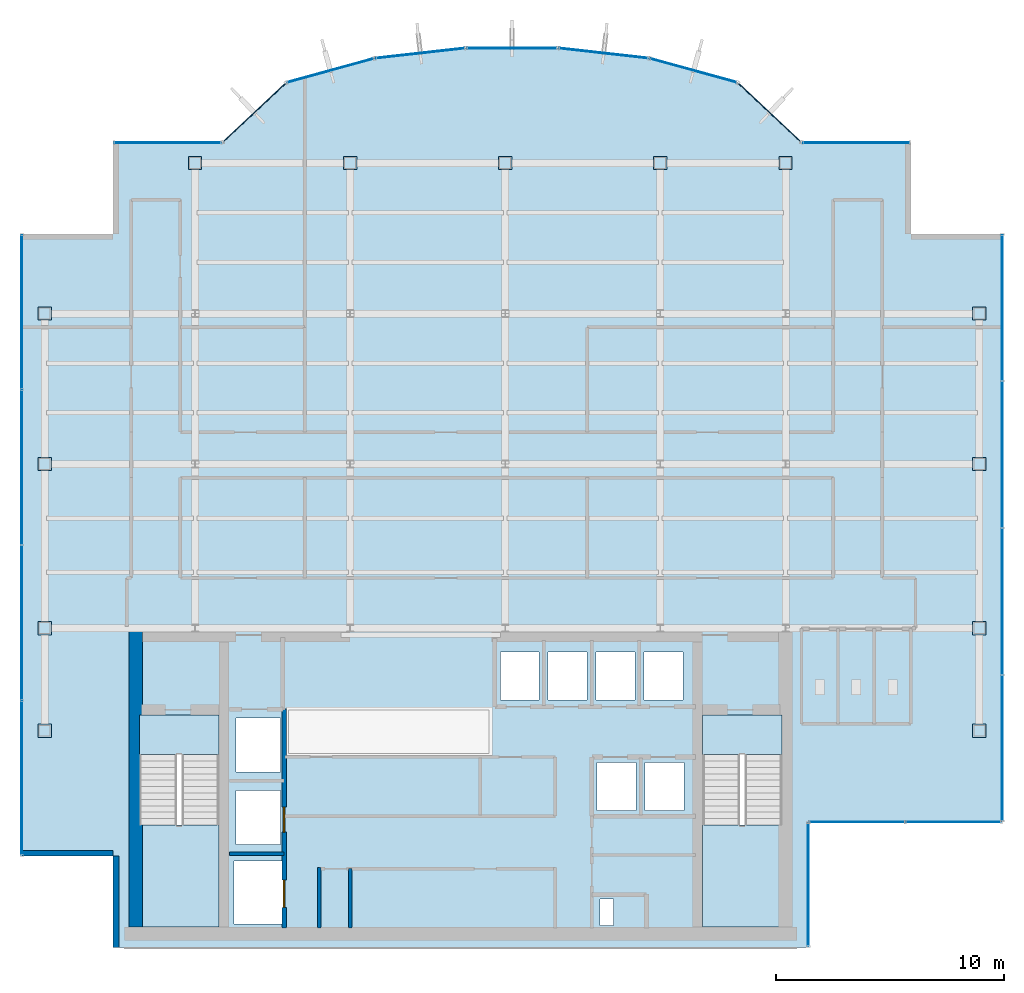
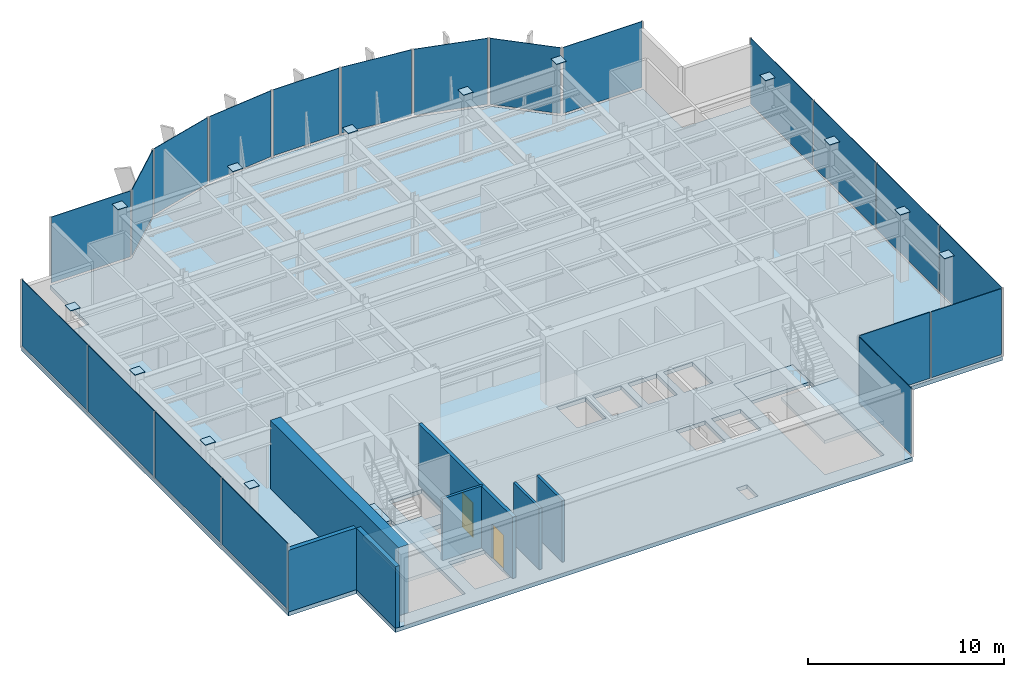
# One storey, part 18 of 24: 33 plates, 7 walls, 5 slabs, 2 doors, 2 openings, 15 elements without a shape of their own.
"""IFC4 building model written with IfcOpenShell, lengths in metres."""

from ifc_helpers import new_model, si_unit, derived_unit, direction, frame, frame_2d, origin, origin_2d, place, context, subcontext, project, spatial, polyline, rectangle, outline, extrude, source, transform, mapped, material, layer, layer_set, type_object, element, fill, aggregate, save


model = new_model("IFC4")

# Units and contexts
model_context = context("Model", 3, precision=1e-05, world=origin(), true_north=direction((0.0, 1.0)))
body_context = subcontext(model_context, "Body", "Model", "MODEL_VIEW")
ifc_project = project(units=[si_unit("LENGTHUNIT", "METRE"), si_unit("AREAUNIT", "SQUARE_METRE"), si_unit("VOLUMEUNIT", "CUBIC_METRE"), si_unit("PLANEANGLEUNIT", "RADIAN"), si_unit("MASSUNIT", "GRAM", prefix="KILO"), derived_unit("THERMALTRANSMITTANCEUNIT", [(si_unit("POWERUNIT", "WATT"), 1), (si_unit("LENGTHUNIT", "METRE"), -2), (si_unit("THERMODYNAMICTEMPERATUREUNIT", "KELVIN"), -1)])], contexts=[model_context])

# Site, building, storey
site_placement = place(None, origin())
site = spatial("IfcSite", under=ifc_project, at=site_placement, CompositionType="ELEMENT")
building_placement = place(site_placement, origin())
building = spatial("IfcBuilding", under=site, at=building_placement, Name="Skarnbrae Concourse Arena and Tower", CompositionType="ELEMENT")
storey_placement = place(building_placement, frame((0.0, 0.0, 288.0)))
storey = spatial("IfcBuildingStorey", under=building, at=storey_placement, Name="L75", CompositionType="ELEMENT", Elevation=288.0)

# Stair, slab
ifc_material_1 = material(Name="Concrete 40 MPa (C40/50)", Category="concrete")
stair_type = type_object("IfcStairType", Name="STAIR-DOGLEG-1650", PredefinedType="HALF_TURN_STAIR", material=ifc_material_1)
stair_1_placement = place(storey_placement, origin())
stair_1 = element("IfcStair", 1, at=stair_1_placement, inside=storey, type_object=stair_type, Name="L75 Protected Exit Stair ST-1", PredefinedType="HALF_TURN_STAIR")
ifc_layer_1 = layer(ifc_material_1, 0.199951171875)
ifc_layer_set_1 = layer_set([ifc_layer_1], Name="Concrete 40 MPa (C40/50)")
slab_type_1 = type_object("IfcSlabType", Name="SLAB-LANDING-200", PredefinedType="LANDING", material=ifc_layer_set_1)
slab_1_placement = place(storey_placement, frame((0.0, 0.0, 1.925048828125)))
slab_1 = element("IfcSlab", 2, at=slab_1_placement, type_object=slab_type_1, Name="ST-1 landing 1", PredefinedType="LANDING", context=body_context, shape_type="SweptSolid", body=[
    extrude(outline(polyline([(5.14990234375, 5.3701171875), (5.14990234375, 0.89990234375), (8.64990234375, 0.89990234375), (8.64990234375, 5.3701171875), (5.14990234375, 5.3701171875)])), origin(), (0.0, 0.0, 1.0), 0.199951171875),
])
aggregate(stair_1, [slab_1])

stair_2_placement = place(storey_placement, origin())
stair_2 = element("IfcStair", 3, at=stair_2_placement, inside=storey, type_object=stair_type, Name="L75 Protected Exit Stair ST-2", PredefinedType="HALF_TURN_STAIR")
slab_2_placement = place(storey_placement, frame((0.0, 0.0, 1.925048828125)))
slab_2 = element("IfcSlab", 4, at=slab_2_placement, type_object=slab_type_1, Name="ST-2 landing 1", PredefinedType="LANDING", context=body_context, shape_type="SweptSolid", body=[
    extrude(outline(polyline([(29.85009765625, 5.3701171875), (29.85009765625, 0.89990234375), (33.35009765625, 0.89990234375), (33.35009765625, 5.3701171875), (29.85009765625, 5.3701171875)])), origin(), (0.0, 0.0, 1.0), 0.199951171875),
])
aggregate(stair_2, [slab_2])

# Slabs
slab_3_placement = place(storey_placement, frame((0.0, 0.0, -0.199951171875)))
element("IfcSlab", 5, at=slab_3_placement, inside=storey, type_object=slab_type_1, Name="L75 Core stair ST1 floor landing", PredefinedType="LANDING", context=body_context, shape_type="SweptSolid", body=[
    extrude(outline(polyline([(5.14990234375, 10.199951171875), (5.14990234375, 8.449951171875), (8.64990234375, 8.449951171875), (8.64990234375, 10.199951171875), (5.14990234375, 10.199951171875)])), origin(), (0.0, 0.0, 1.0), 0.199951171875),
])
slab_4_placement = place(storey_placement, frame((0.0, 0.0, -0.199951171875)))
element("IfcSlab", 6, at=slab_4_placement, inside=storey, type_object=slab_type_1, Name="L75 Core stair ST2 floor landing", PredefinedType="LANDING", context=body_context, shape_type="SweptSolid", body=[
    extrude(outline(polyline([(29.85009765625, 10.199951171875), (29.85009765625, 8.449951171875), (33.35009765625, 8.449951171875), (33.35009765625, 10.199951171875), (29.85009765625, 10.199951171875)])), origin(), (0.0, 0.0, 1.0), 0.199951171875),
])
ifc_layer_2 = layer(ifc_material_1, 0.25)
ifc_layer_set_2 = layer_set([ifc_layer_2], Name="Concrete 40 MPa (C40/50)")
slab_type_2 = type_object("IfcSlabType", Name="SLAB-TOWER-250", PredefinedType="FLOOR", material=ifc_layer_set_2)
slab_5_placement = place(storey_placement, frame((0.0, 0.0, -0.25)))
element("IfcSlab", 7, at=slab_5_placement, inside=storey, type_object=slab_type_2, Name="L75 Structural floor slab", PredefinedType="FLOOR", context=body_context, shape_type="SweptSolid", body=[
    extrude(outline(polyline([(4.0, 0.0), (34.5, 0.0), (34.5, 5.5), (43.0, 5.5), (43.0, 31.300048828125), (39.0, 31.300048828125), (39.0, 35.300048828125), (34.199951171875, 35.300048828125), (31.40966796875, 37.9267578125), (27.52587890625, 38.9970703125), (23.51708984375, 39.44677734375), (19.48291015625, 39.44677734375), (15.47412109375, 38.9970703125), (11.59033203125, 37.9267578125), (8.800048828125, 35.300048828125), (4.0, 35.300048828125), (4.0, 31.300048828125), (0.0, 31.300048828125), (0.0, 4.0), (4.0, 4.0), (4.0, 0.0)]), holes=[polyline([(9.294921875, 1.02001953125), (9.294921875, 3.780029296875), (11.455078125, 3.780029296875), (11.455078125, 1.02001953125), (9.294921875, 1.02001953125)]), polyline([(8.64990234375, 10.199951171875), (8.64990234375, 0.89990234375), (5.14990234375, 0.89990234375), (5.14990234375, 10.199951171875), (8.64990234375, 10.199951171875)]), polyline([(9.39501953125, 6.8798828125), (11.35498046875, 6.8798828125), (11.35498046875, 4.52001953125), (9.39501953125, 4.52001953125), (9.39501953125, 6.8798828125)]), polyline([(9.39501953125, 7.695068359375), (9.39501953125, 10.054931640625), (11.35498046875, 10.054931640625), (11.35498046875, 7.695068359375), (9.39501953125, 7.695068359375)]), polyline([(20.985107421875, 12.955078125), (22.695068359375, 12.955078125), (22.695068359375, 10.844970703125), (20.985107421875, 10.844970703125), (20.985107421875, 12.955078125)]), polyline([(23.0849609375, 12.955078125), (24.794921875, 12.955078125), (24.794921875, 10.844970703125), (23.0849609375, 10.844970703125), (23.0849609375, 12.955078125)]), polyline([(25.35009765625, 0.949951171875), (25.35009765625, 2.110107421875), (25.9599609375, 2.110107421875), (25.9599609375, 0.949951171875), (25.35009765625, 0.949951171875)]), polyline([(33.35009765625, 10.199951171875), (33.35009765625, 0.89990234375), (29.85009765625, 0.89990234375), (29.85009765625, 10.199951171875), (33.35009765625, 10.199951171875)]), polyline([(25.235107421875, 8.10498046875), (26.945068359375, 8.10498046875), (26.945068359375, 5.9951171875), (25.235107421875, 5.9951171875), (25.235107421875, 8.10498046875)]), polyline([(27.3349609375, 5.9951171875), (27.3349609375, 8.10498046875), (29.044921875, 8.10498046875), (29.044921875, 5.9951171875), (27.3349609375, 5.9951171875)]), polyline([(25.18505859375, 12.955078125), (26.89501953125, 12.955078125), (26.89501953125, 10.844970703125), (25.18505859375, 10.844970703125), (25.18505859375, 12.955078125)]), polyline([(27.284912109375, 12.955078125), (28.9951171875, 12.955078125), (28.9951171875, 10.844970703125), (27.284912109375, 10.844970703125), (27.284912109375, 12.955078125)])]), origin(), (0.0, 0.0, 1.0), 0.25),
])

# Plates
ifc_material_2 = material(Name="Steel CSA G40.21 350W", Category="steel")
ifc_layer_3 = layer(ifc_material_2, 0.031982421875)
ifc_layer_set_3 = layer_set([ifc_layer_3], Name="Steel CSA G40.21 350W")
plate_type_1 = type_object("IfcPlateType", Name="PLT-CAP-HOLLOW", PredefinedType="USERDEFINED", material=ifc_layer_set_3)
shared_shape_1 = source(origin(), body_context, "Body", "SweptSolid", [
    extrude(rectangle(XDim=0.580078125, YDim=0.580078125, at=origin_2d()), origin(), (0.0, 0.0, 1.0), 0.031982421875),
])
for number, where, z_axis, x_axis, name in (
    (8, (1.0, 9.5, 4.2490234375), (0.0, 0.0, 1.0), (1.0, 0.0, 0.0), "L75 Hollow column top cap plate 126"),
    (9, (1.0, 14.0, 4.2490234375), (0.0, 0.0, 1.0), (1.0, 0.0, 0.0), "L75 Hollow column top cap plate 127"),
    (10, (1.0, 21.199951171875, 4.2490234375), (0.0, 0.0, 1.0), (1.0, 0.0, 0.0), "L75 Hollow column top cap plate 128"),
    (11, (1.0, 27.800048828125, 4.2490234375), (0.0, 0.0, 1.0), (1.0, 0.0, 0.0), "L75 Hollow column top cap plate 129"),
    (12, (7.60009765625, 34.39990234375, 4.2490234375), (0.0, 0.0, 1.0), (1.0, 0.0, 0.0), "L75 Hollow column top cap plate 130"),
    (13, (14.39990234375, 34.39990234375, 4.2490234375), (0.0, 0.0, 1.0), (1.0, 0.0, 0.0), "L75 Hollow column top cap plate 131"),
    (14, (21.199951171875, 34.39990234375, 4.2490234375), (0.0, 0.0, 1.0), (1.0, 0.0, 0.0), "L75 Hollow column top cap plate 132"),
    (15, (28.0, 34.39990234375, 4.2490234375), (0.0, 0.0, 1.0), (1.0, 0.0, 0.0), "L75 Hollow column top cap plate 133"),
    (16, (33.5, 34.39990234375, 4.2490234375), (0.0, 0.0, 1.0), (1.0, 0.0, 0.0), "L75 Hollow column top cap plate 134"),
    (17, (42.0, 9.5, 4.2490234375), (0.0, 0.0, 1.0), (1.0, 0.0, 0.0), "L75 Hollow column top cap plate 135"),
    (18, (42.0, 14.0, 4.2490234375), (0.0, 0.0, 1.0), (1.0, 0.0, 0.0), "L75 Hollow column top cap plate 136"),
    (19, (42.0, 21.199951171875, 4.2490234375), (0.0, 0.0, 1.0), (1.0, 0.0, 0.0), "L75 Hollow column top cap plate 137"),
    (20, (42.0, 27.800048828125, 4.2490234375), (0.0, 0.0, 1.0), (1.0, 0.0, 0.0), "L75 Hollow column top cap plate 138"),
):
    element("IfcPlate", number, at=place(storey_placement, frame(where, z_axis=z_axis, x_axis=x_axis)), inside=storey, type_object=plate_type_1, Name=name, ObjectType="CAP PLATE", PredefinedType="USERDEFINED", context=body_context, shape_type="MappedRepresentation", body=[
        mapped(shared_shape_1, transform((0.0, 0.0, 0.0))),
    ])

# Curtain wall, plate
ifc_material_3 = material(Name="Bronze anodised aluminium 6063-T6", Category="aluminium")
curtain_wall_type = type_object("IfcCurtainWallType", Name="CW-SYS-06-SKYLOBBY", PredefinedType="USERDEFINED", material=ifc_material_3)
curtain_wall_1_placement = place(storey_placement, origin())
curtain_wall_1 = element("IfcCurtainWall", 21, at=curtain_wall_1_placement, inside=storey, type_object=curtain_wall_type, Name="L75 Unitised curtain wall CW-L75-E02", ObjectType="UNITISED CURTAIN WALL", PredefinedType="USERDEFINED")
ifc_material_4 = material(Name="Low-E triple insulating glass", Category="glass")
ifc_layer_4 = layer(ifc_material_4, 0.0380859375)
ifc_layer_set_4 = layer_set([ifc_layer_4], Name="Low-E triple insulating glass")
plate_type_2 = type_object("IfcPlateType", Name="CWP-CW-06", PredefinedType="CURTAIN_PANEL", material=ifc_layer_set_4)
shared_shape_2 = source(origin(), body_context, "Body", "SweptSolid", [
    extrude(rectangle(XDim=5.360107421875, YDim=0.0380859375, at=origin_2d()), origin(), (0.0, 0.0, 1.0), 4.114990234375),
])
plate_1_placement = place(storey_placement, frame((34.5, 2.75, 0.134765625), z_axis=(0.0, 0.0, 1.0), x_axis=(0.0, 1.0, 0.0)))
plate_1 = element("IfcPlate", 22, at=plate_1_placement, type_object=plate_type_2, Name="CW-L75-E02 Low-E Glazing Panel 1", PredefinedType="CURTAIN_PANEL", context=body_context, shape_type="MappedRepresentation", body=[
    mapped(shared_shape_2, transform((0.0, 0.0, 0.0))),
])
aggregate(curtain_wall_1, [plate_1])

# Curtain wall, plates
curtain_wall_2_placement = place(storey_placement, origin())
curtain_wall_2 = element("IfcCurtainWall", 23, at=curtain_wall_2_placement, inside=storey, type_object=curtain_wall_type, Name="L75 Unitised curtain wall CW-L75-E03", ObjectType="UNITISED CURTAIN WALL", PredefinedType="USERDEFINED")
shared_shape_3 = source(origin(), body_context, "Body", "SweptSolid", [
    extrude(rectangle(XDim=4.14501953125, YDim=0.0380859375, at=origin_2d()), origin(), (0.0, 0.0, 1.0), 4.114990234375),
])
plate_2_placement = place(storey_placement, frame((36.642578125, 5.5, 0.134765625), z_axis=(0.0, 0.0, 1.0), x_axis=(1.0, 0.0, 0.0)))
plate_2 = element("IfcPlate", 24, at=plate_2_placement, type_object=plate_type_2, Name="CW-L75-E03 Low-E Glazing Panel 1", PredefinedType="CURTAIN_PANEL", context=body_context, shape_type="MappedRepresentation", body=[
    mapped(shared_shape_3, transform((0.0, 0.0, 0.0))),
])
plate_3_placement = place(storey_placement, frame((40.857421875, 5.5, 0.134765625), z_axis=(0.0, 0.0, 1.0), x_axis=(1.0, 0.0, 0.0)))
plate_3 = element("IfcPlate", 25, at=plate_3_placement, type_object=plate_type_2, Name="CW-L75-E03 Low-E Glazing Panel 2", PredefinedType="CURTAIN_PANEL", context=body_context, shape_type="MappedRepresentation", body=[
    mapped(shared_shape_3, transform((0.0, 0.0, 0.0))),
])
aggregate(curtain_wall_2, [plate_2, plate_3])

curtain_wall_3_placement = place(storey_placement, origin())
curtain_wall_3 = element("IfcCurtainWall", 26, at=curtain_wall_3_placement, inside=storey, type_object=curtain_wall_type, Name="L75 Unitised curtain wall CW-L75-E04", ObjectType="UNITISED CURTAIN WALL", PredefinedType="USERDEFINED")
shared_shape_4 = source(origin(), body_context, "Body", "SweptSolid", [
    extrude(rectangle(XDim=6.344970703125, YDim=0.0380859375, at=origin_2d()), origin(), (0.0, 0.0, 1.0), 4.114990234375),
])
plate_4_placement = place(storey_placement, frame((43.0, 8.742431640625, 0.134765625), z_axis=(0.0, 0.0, 1.0), x_axis=(0.0, 1.0, 0.0)))
plate_4 = element("IfcPlate", 27, at=plate_4_placement, type_object=plate_type_2, Name="CW-L75-E04 Low-E Glazing Panel 1", PredefinedType="CURTAIN_PANEL", context=body_context, shape_type="MappedRepresentation", body=[
    mapped(shared_shape_4, transform((0.0, 0.0, 0.0))),
])
plate_5_placement = place(storey_placement, frame((43.0, 28.0576171875, 0.134765625), z_axis=(0.0, 0.0, 1.0), x_axis=(0.0, 1.0, 0.0)))
plate_5 = element("IfcPlate", 28, at=plate_5_placement, type_object=plate_type_2, Name="CW-L75-E04 Low-E Glazing Panel 4", PredefinedType="CURTAIN_PANEL", context=body_context, shape_type="MappedRepresentation", body=[
    mapped(shared_shape_4, transform((0.0, 0.0, 0.0))),
])
shared_shape_5 = source(origin(), body_context, "Body", "SweptSolid", [
    extrude(rectangle(XDim=6.3798828125, YDim=0.0380859375, at=origin_2d()), origin(), (0.0, 0.0, 1.0), 4.114990234375),
])
plate_6_placement = place(storey_placement, frame((43.0, 15.175048828125, 0.134765625), z_axis=(0.0, 0.0, 1.0), x_axis=(0.0, 1.0, 0.0)))
plate_6 = element("IfcPlate", 29, at=plate_6_placement, type_object=plate_type_2, Name="CW-L75-E04 Low-E Glazing Panel 2", PredefinedType="CURTAIN_PANEL", context=body_context, shape_type="MappedRepresentation", body=[
    mapped(shared_shape_5, transform((0.0, 0.0, 0.0))),
])
plate_7_placement = place(storey_placement, frame((43.0, 21.625, 0.134765625), z_axis=(0.0, 0.0, 1.0), x_axis=(0.0, 1.0, 0.0)))
plate_7 = element("IfcPlate", 30, at=plate_7_placement, type_object=plate_type_2, Name="CW-L75-E04 Low-E Glazing Panel 3", PredefinedType="CURTAIN_PANEL", context=body_context, shape_type="MappedRepresentation", body=[
    mapped(shared_shape_5, transform((0.0, 0.0, 0.0))),
])
aggregate(curtain_wall_3, [plate_4, plate_6, plate_7, plate_5])

# Curtain wall, plate
curtain_wall_4_placement = place(storey_placement, origin())
curtain_wall_4 = element("IfcCurtainWall", 31, at=curtain_wall_4_placement, inside=storey, type_object=curtain_wall_type, Name="L75 Unitised curtain wall CW-L75-E07", ObjectType="UNITISED CURTAIN WALL", PredefinedType="USERDEFINED")
shared_shape_6 = source(origin(), body_context, "Body", "SweptSolid", [
    extrude(rectangle(XDim=4.659912109375, YDim=0.0380859375, at=origin_2d()), origin(), (0.0, 0.0, 1.0), 4.114990234375),
])
plate_8_placement = place(storey_placement, frame((36.60009765625, 35.300048828125, 0.134765625), z_axis=(0.0, 0.0, 1.0), x_axis=(-1.0, 0.0, 0.0)))
plate_8 = element("IfcPlate", 32, at=plate_8_placement, type_object=plate_type_2, Name="CW-L75-E07 Low-E Glazing Panel 1", PredefinedType="CURTAIN_PANEL", context=body_context, shape_type="MappedRepresentation", body=[
    mapped(shared_shape_6, transform((0.0, 0.0, 0.0))),
])
aggregate(curtain_wall_4, [plate_8])

curtain_wall_5_placement = place(storey_placement, origin())
curtain_wall_5 = element("IfcCurtainWall", 33, at=curtain_wall_5_placement, inside=storey, type_object=curtain_wall_type, Name="L75 Unitised curtain wall CW-L75-E15", ObjectType="UNITISED CURTAIN WALL", PredefinedType="USERDEFINED")
plate_9_placement = place(storey_placement, frame((6.39990234375, 35.300048828125, 0.134765625), z_axis=(0.0, 0.0, 1.0), x_axis=(-1.0, 0.0, 0.0)))
plate_9 = element("IfcPlate", 34, at=plate_9_placement, type_object=plate_type_2, Name="CW-L75-E15 Low-E Glazing Panel 1", PredefinedType="CURTAIN_PANEL", context=body_context, shape_type="MappedRepresentation", body=[
    mapped(shared_shape_6, transform((0.0, 0.0, 0.0))),
])
aggregate(curtain_wall_5, [plate_9])

curtain_wall_6_placement = place(storey_placement, origin())
curtain_wall_6 = element("IfcCurtainWall", 35, at=curtain_wall_6_placement, inside=storey, type_object=curtain_wall_type, Name="L75 Unitised curtain wall CW-L75-E08", ObjectType="UNITISED CURTAIN WALL", PredefinedType="USERDEFINED")
shared_shape_7 = source(origin(), body_context, "Body", "SweptSolid", [
    extrude(rectangle(XDim=3.692138671875, YDim=0.0380859375, at=origin_2d()), origin(), (0.0, 0.0, 1.0), 4.114990234375),
])
plate_10_placement = place(storey_placement, frame((32.804931640625, 36.61328125, 0.134765625), z_axis=(0.0, 0.0, 1.0), x_axis=(-0.728130555214, 0.685438468838, 0.0)))
plate_10 = element("IfcPlate", 36, at=plate_10_placement, type_object=plate_type_2, Name="CW-L75-E08 Low-E Glazing Panel 1", PredefinedType="CURTAIN_PANEL", context=body_context, shape_type="MappedRepresentation", body=[
    mapped(shared_shape_7, transform((0.0, 0.0, 0.0))),
])
aggregate(curtain_wall_6, [plate_10])

curtain_wall_7_placement = place(storey_placement, origin())
curtain_wall_7 = element("IfcCurtainWall", 37, at=curtain_wall_7_placement, inside=storey, type_object=curtain_wall_type, Name="L75 Unitised curtain wall CW-L75-E14", ObjectType="UNITISED CURTAIN WALL", PredefinedType="USERDEFINED")
plate_11_placement = place(storey_placement, frame((10.1953125, 36.61328125, 0.134765625), z_axis=(0.0, 0.0, 1.0), x_axis=(-0.728130555214, -0.685438468838, 0.0)))
plate_11 = element("IfcPlate", 38, at=plate_11_placement, type_object=plate_type_2, Name="CW-L75-E14 Low-E Glazing Panel 1", PredefinedType="CURTAIN_PANEL", context=body_context, shape_type="MappedRepresentation", body=[
    mapped(shared_shape_7, transform((0.0, 0.0, 0.0))),
])
aggregate(curtain_wall_7, [plate_11])

curtain_wall_8_placement = place(storey_placement, origin())
curtain_wall_8 = element("IfcCurtainWall", 39, at=curtain_wall_8_placement, inside=storey, type_object=curtain_wall_type, Name="L75 Unitised curtain wall CW-L75-E09", ObjectType="UNITISED CURTAIN WALL", PredefinedType="USERDEFINED")
shared_shape_8 = source(origin(), body_context, "Body", "SweptSolid", [
    extrude(rectangle(XDim=3.888671875, YDim=0.0380859375, at=origin_2d()), origin(), (0.0, 0.0, 1.0), 4.114990234375),
])
plate_12_placement = place(storey_placement, frame((29.4677734375, 38.4619140625, 0.134765625), z_axis=(0.0, 0.0, 1.0), x_axis=(-0.964057388766, 0.265694093207, 0.0)))
plate_12 = element("IfcPlate", 40, at=plate_12_placement, type_object=plate_type_2, Name="CW-L75-E09 Low-E Glazing Panel 1", PredefinedType="CURTAIN_PANEL", context=body_context, shape_type="MappedRepresentation", body=[
    mapped(shared_shape_8, transform((0.0, 0.0, 0.0))),
])
aggregate(curtain_wall_8, [plate_12])

curtain_wall_9_placement = place(storey_placement, origin())
curtain_wall_9 = element("IfcCurtainWall", 41, at=curtain_wall_9_placement, inside=storey, type_object=curtain_wall_type, Name="L75 Unitised curtain wall CW-L75-E13", ObjectType="UNITISED CURTAIN WALL", PredefinedType="USERDEFINED")
plate_13_placement = place(storey_placement, frame((13.5322265625, 38.4619140625, 0.134765625), z_axis=(0.0, 0.0, 1.0), x_axis=(-0.964057388766, -0.265694093207, 0.0)))
plate_13 = element("IfcPlate", 42, at=plate_13_placement, type_object=plate_type_2, Name="CW-L75-E13 Low-E Glazing Panel 1", PredefinedType="CURTAIN_PANEL", context=body_context, shape_type="MappedRepresentation", body=[
    mapped(shared_shape_8, transform((0.0, 0.0, 0.0))),
])
aggregate(curtain_wall_9, [plate_13])

curtain_wall_10_placement = place(storey_placement, origin())
curtain_wall_10 = element("IfcCurtainWall", 43, at=curtain_wall_10_placement, inside=storey, type_object=curtain_wall_type, Name="L75 Unitised curtain wall CW-L75-E10", ObjectType="UNITISED CURTAIN WALL", PredefinedType="USERDEFINED")
shared_shape_9 = source(origin(), body_context, "Body", "SweptSolid", [
    extrude(rectangle(XDim=3.893798828125, YDim=0.0380859375, at=origin_2d()), origin(), (0.0, 0.0, 1.0), 4.114990234375),
])
plate_14_placement = place(storey_placement, frame((25.521484375, 39.221923828125, 0.134765625), z_axis=(0.0, 0.0, 1.0), x_axis=(-0.993768891873, 0.111460259941, 0.0)))
plate_14 = element("IfcPlate", 44, at=plate_14_placement, type_object=plate_type_2, Name="CW-L75-E10 Low-E Glazing Panel 1", PredefinedType="CURTAIN_PANEL", context=body_context, shape_type="MappedRepresentation", body=[
    mapped(shared_shape_9, transform((0.0, 0.0, 0.0))),
])
aggregate(curtain_wall_10, [plate_14])

curtain_wall_11_placement = place(storey_placement, origin())
curtain_wall_11 = element("IfcCurtainWall", 45, at=curtain_wall_11_placement, inside=storey, type_object=curtain_wall_type, Name="L75 Unitised curtain wall CW-L75-E12", ObjectType="UNITISED CURTAIN WALL", PredefinedType="USERDEFINED")
plate_15_placement = place(storey_placement, frame((17.478515625, 39.221923828125, 0.134765625), z_axis=(0.0, 0.0, 1.0), x_axis=(-0.993768891873, -0.111460259941, 0.0)))
plate_15 = element("IfcPlate", 46, at=plate_15_placement, type_object=plate_type_2, Name="CW-L75-E12 Low-E Glazing Panel 1", PredefinedType="CURTAIN_PANEL", context=body_context, shape_type="MappedRepresentation", body=[
    mapped(shared_shape_9, transform((0.0, 0.0, 0.0))),
])
aggregate(curtain_wall_11, [plate_15])

curtain_wall_12_placement = place(storey_placement, origin())
curtain_wall_12 = element("IfcCurtainWall", 47, at=curtain_wall_12_placement, inside=storey, type_object=curtain_wall_type, Name="L75 Unitised curtain wall CW-L75-E11", ObjectType="UNITISED CURTAIN WALL", PredefinedType="USERDEFINED")
shared_shape_10 = source(origin(), body_context, "Body", "SweptSolid", [
    extrude(rectangle(XDim=3.894287109375, YDim=0.0380859375, at=origin_2d()), origin(), (0.0, 0.0, 1.0), 4.114990234375),
])
plate_16_placement = place(storey_placement, frame((21.5, 39.44677734375, 0.134765625), z_axis=(0.0, 0.0, 1.0), x_axis=(-1.0, 0.0, 0.0)))
plate_16 = element("IfcPlate", 48, at=plate_16_placement, type_object=plate_type_2, Name="CW-L75-E11 Low-E Glazing Panel 1", PredefinedType="CURTAIN_PANEL", context=body_context, shape_type="MappedRepresentation", body=[
    mapped(shared_shape_10, transform((0.0, 0.0, 0.0))),
])
aggregate(curtain_wall_12, [plate_16])

# Curtain wall, plates
curtain_wall_13_placement = place(storey_placement, origin())
curtain_wall_13 = element("IfcCurtainWall", 49, at=curtain_wall_13_placement, inside=storey, type_object=curtain_wall_type, Name="L75 Unitised curtain wall CW-L75-E18", ObjectType="UNITISED CURTAIN WALL", PredefinedType="USERDEFINED")
shared_shape_11 = source(origin(), body_context, "Body", "SweptSolid", [
    extrude(rectangle(XDim=6.719970703125, YDim=0.0380859375, at=origin_2d()), origin(), (0.0, 0.0, 1.0), 4.114990234375),
])
plate_17_placement = place(storey_placement, frame((0.0, 27.8701171875, 0.134765625), z_axis=(0.0, 0.0, 1.0), x_axis=(0.0, -1.0, 0.0)))
plate_17 = element("IfcPlate", 50, at=plate_17_placement, type_object=plate_type_2, Name="CW-L75-E18 Low-E Glazing Panel 1", PredefinedType="CURTAIN_PANEL", context=body_context, shape_type="MappedRepresentation", body=[
    mapped(shared_shape_11, transform((0.0, 0.0, 0.0))),
])
plate_18_placement = place(storey_placement, frame((0.0, 7.429931640625, 0.134765625), z_axis=(0.0, 0.0, 1.0), x_axis=(0.0, -1.0, 0.0)))
plate_18 = element("IfcPlate", 51, at=plate_18_placement, type_object=plate_type_2, Name="CW-L75-E18 Low-E Glazing Panel 4", PredefinedType="CURTAIN_PANEL", context=body_context, shape_type="MappedRepresentation", body=[
    mapped(shared_shape_11, transform((0.0, 0.0, 0.0))),
])
shared_shape_12 = source(origin(), body_context, "Body", "SweptSolid", [
    extrude(rectangle(XDim=6.7548828125, YDim=0.0380859375, at=origin_2d()), origin(), (0.0, 0.0, 1.0), 4.114990234375),
])
plate_19_placement = place(storey_placement, frame((0.0, 21.0625, 0.134765625), z_axis=(0.0, 0.0, 1.0), x_axis=(0.0, -1.0, 0.0)))
plate_19 = element("IfcPlate", 52, at=plate_19_placement, type_object=plate_type_2, Name="CW-L75-E18 Low-E Glazing Panel 2", PredefinedType="CURTAIN_PANEL", context=body_context, shape_type="MappedRepresentation", body=[
    mapped(shared_shape_12, transform((0.0, 0.0, 0.0))),
])
plate_20_placement = place(storey_placement, frame((0.0, 14.237548828125, 0.134765625), z_axis=(0.0, 0.0, 1.0), x_axis=(0.0, -1.0, 0.0)))
plate_20 = element("IfcPlate", 53, at=plate_20_placement, type_object=plate_type_2, Name="CW-L75-E18 Low-E Glazing Panel 3", PredefinedType="CURTAIN_PANEL", context=body_context, shape_type="MappedRepresentation", body=[
    mapped(shared_shape_12, transform((0.0, 0.0, 0.0))),
])
aggregate(curtain_wall_13, [plate_17, plate_19, plate_20, plate_18])

# Walls
ifc_material_5 = material(Name="Concrete 50 MPa (C50/60)", Category="concrete")
ifc_layer_5 = layer(ifc_material_5, 0.60009765625)
ifc_layer_set_5 = layer_set([ifc_layer_5], Name="Concrete 50 MPa (C50/60)")
wall_type_1 = type_object("IfcWallType", Name="WALL-CORE-600-C50", PredefinedType="SHEAR", material=ifc_layer_set_5)
shared_shape_13 = source(origin(), body_context, "Body", "SweptSolid", [
    extrude(rectangle(XDim=13.10009765625, YDim=0.60009765625, at=frame_2d((6.550048828125, 0.0))), origin(), (0.0, 0.0, 1.0), 4.25),
])
wall_1_placement = place(storey_placement, frame((5.0, 0.89990234375, 0.0), z_axis=(0.0, 0.0, 1.0), x_axis=(0.0, 1.0, 0.0)))
element("IfcWall", 54, at=wall_1_placement, inside=storey, type_object=wall_type_1, Name="L75 Rear core shear wall CW-W", PredefinedType="SHEAR", context=body_context, shape_type="MappedRepresentation", body=[
    mapped(shared_shape_13, transform((0.0, 0.0, 0.0))),
])
ifc_material_6 = material(Name="Precast concrete 40 MPa (C40/50)", Category="concrete")
ifc_layer_6 = layer(ifc_material_6, 0.25)
ifc_layer_set_6 = layer_set([ifc_layer_6], Name="Precast concrete 40 MPa (C40/50)")
wall_type_2 = type_object("IfcWallType", Name="WALL-EXT-SPANDREL-250", PredefinedType="STANDARD", material=ifc_layer_set_6)
shared_shape_14 = source(origin(), body_context, "Body", "SweptSolid", [
    extrude(rectangle(XDim=4.0, YDim=0.25, at=frame_2d((2.0, 0.0))), origin(), (0.0, 0.0, 1.0), 3.85009765625),
])
for number, where, z_axis, x_axis, name in (
    (55, (0.0, 4.125, 0.0), (0.0, 0.0, 1.0), (1.0, 0.0, 0.0), "L75 Notched corner insulated return wall 19"),
    (56, (4.125, 4.0, 0.0), (0.0, 0.0, 1.0), (0.0, -1.0, 0.0), "L75 Notched corner insulated return wall 20"),
):
    element("IfcWall", number, at=place(storey_placement, frame(where, z_axis=z_axis, x_axis=x_axis)), inside=storey, type_object=wall_type_2, Name=name, PredefinedType="STANDARD", context=body_context, shape_type="MappedRepresentation", body=[
        mapped(shared_shape_14, transform((0.0, 0.0, 0.0))),
    ])

# Wall, openings, doors
ifc_material_7 = material(Name="Gypsum board on cold-formed steel studs", Category="steel")
ifc_layer_7 = layer(ifc_material_7, 0.199951171875)
ifc_layer_set_7 = layer_set([ifc_layer_7], Name="Gypsum board on cold-formed steel studs")
wall_type_3 = type_object("IfcWallType", Name="WALL-PART-200-2HR", PredefinedType="PARTITIONING", material=ifc_layer_set_7)
shared_shape_15 = source(origin(), body_context, "Body", "SweptSolid", [
    extrude(rectangle(XDim=9.599853515625, YDim=0.199951171875, at=frame_2d((4.7998046875, 0.0))), origin(), (0.0, 0.0, 1.0), 3.85009765625),
])
wall_2_placement = place(storey_placement, frame((11.5, 0.85009765625, 0.0), z_axis=(0.0, 0.0, 1.0), x_axis=(0.0, 1.0, 0.0)))
wall_2 = element("IfcWall", 57, at=wall_2_placement, inside=storey, type_object=wall_type_3, Name="L75 Interior partition wall W-L75-FL-E", PredefinedType="PARTITIONING", context=body_context, shape_type="MappedRepresentation", body=[
    mapped(shared_shape_15, transform((0.0, 0.0, 0.0))),
])
opening_1_placement = place(wall_2_placement, frame((4.199951171875, 0.0, 0.0)))
opening_1 = element("IfcOpeningElement", 58, at=opening_1_placement, cuts=wall_2, Name="Opening LD-01", PredefinedType="OPENING", context=body_context, shape_type="SweptSolid", body=[
    extrude(rectangle(XDim=1.10009765625, YDim=2.14990234375, at=frame_2d((0.550048828125, 1.074951171875))), frame((0.0, 0.10986328125, 0.0), z_axis=(0.0, -1.0, 0.0), x_axis=(1.0, 0.0, 0.0)), (0.0, 0.0, 1.0), 0.219970703125),
])
opening_2_placement = place(wall_2_placement, frame((0.89990234375, 0.0, 0.0)))
opening_2 = element("IfcOpeningElement", 59, at=opening_2_placement, cuts=wall_2, Name="Opening LD-02", PredefinedType="OPENING", context=body_context, shape_type="SweptSolid", body=[
    extrude(rectangle(XDim=1.199951171875, YDim=2.14990234375, at=frame_2d((0.60009765625, 1.074951171875))), frame((0.0, 0.10986328125, 0.0), z_axis=(0.0, -1.0, 0.0), x_axis=(1.0, 0.0, 0.0)), (0.0, 0.0, 1.0), 0.219970703125),
])
door_type_1 = type_object("IfcDoorType", Name="DOOR-LIFT-SLIDE-1100", OperationType="SLIDING_TO_LEFT", PredefinedType="DOOR", material=ifc_material_2)
shared_shape_16 = source(origin(), body_context, "Body", "SweptSolid", [
    extrude(rectangle(XDim=1.10009765625, YDim=2.14990234375, at=frame_2d((0.550048828125, 1.074951171875))), frame((0.0, 0.02490234375, 0.0), z_axis=(0.0, -1.0, 0.0), x_axis=(1.0, 0.0, 0.0)), (0.0, 0.0, 1.0), 0.050048828125),
])
door_1_placement = place(opening_1_placement, frame((1.10009765625, 0.0, 0.0), z_axis=(0.0, 0.0, 1.0), x_axis=(-1.0, 0.0, 0.0)))
door_1 = element("IfcDoor", 60, at=door_1_placement, inside=storey, type_object=door_type_1, Name="D-2267 Firefighting Lift Landing Door FL-02", OperationType="SLIDING_TO_LEFT", OverallHeight=2.14990234375, OverallWidth=1.10009765625, PredefinedType="DOOR", context=body_context, shape_type="MappedRepresentation", body=[
    mapped(shared_shape_16, transform((0.0, 0.0, 0.0))),
])
fill(opening_1, door_1)
door_type_2 = type_object("IfcDoorType", Name="DOOR-LIFT-SLIDE-1200", OperationType="SLIDING_TO_LEFT", PredefinedType="DOOR", material=ifc_material_2)
shared_shape_17 = source(origin(), body_context, "Body", "SweptSolid", [
    extrude(rectangle(XDim=1.199951171875, YDim=2.14990234375, at=frame_2d((0.60009765625, 1.074951171875))), frame((0.0, 0.02490234375, 0.0), z_axis=(0.0, -1.0, 0.0), x_axis=(1.0, 0.0, 0.0)), (0.0, 0.0, 1.0), 0.050048828125),
])
door_2_placement = place(opening_2_placement, frame((1.199951171875, 0.0, 0.0), z_axis=(0.0, 0.0, 1.0), x_axis=(-1.0, 0.0, 0.0)))
door_2 = element("IfcDoor", 61, at=door_2_placement, inside=storey, type_object=door_type_2, Name="D-2268 Service Lift Landing Door SV-01", OperationType="SLIDING_TO_LEFT", OverallHeight=2.14990234375, OverallWidth=1.199951171875, PredefinedType="DOOR", context=body_context, shape_type="MappedRepresentation", body=[
    mapped(shared_shape_17, transform((0.0, 0.0, 0.0))),
])
fill(opening_2, door_2)

# Walls
ifc_layer_8 = layer(ifc_material_7, 0.14990234375)
ifc_layer_set_8 = layer_set([ifc_layer_8], Name="Gypsum board on cold-formed steel studs")
wall_type_4 = type_object("IfcWallType", Name="WALL-PART-150", PredefinedType="PARTITIONING", material=ifc_layer_set_8)
shared_shape_18 = source(origin(), body_context, "Body", "SweptSolid", [
    extrude(rectangle(XDim=2.39990234375, YDim=0.14990234375, at=frame_2d((1.199951171875, 0.0))), origin(), (0.0, 0.0, 1.0), 3.85009765625),
])
wall_3_placement = place(storey_placement, frame((9.10009765625, 4.10009765625, 0.0), z_axis=(0.0, 0.0, 1.0), x_axis=(1.0, 0.0, 0.0)))
element("IfcWall", 62, at=wall_3_placement, inside=storey, type_object=wall_type_4, Name="L75 Interior partition wall W-L75-FL-D1", PredefinedType="PARTITIONING", context=body_context, shape_type="MappedRepresentation", body=[
    mapped(shared_shape_18, transform((0.0, 0.0, 0.0))),
])
ifc_layer_9 = layer(ifc_material_7, 0.14990234375)
ifc_layer_set_9 = layer_set([ifc_layer_9], Name="Gypsum board on cold-formed steel studs")
wall_type_5 = type_object("IfcWallType", Name="WALL-PART-150-1HR", PredefinedType="PARTITIONING", material=ifc_layer_set_9)
shared_shape_19 = source(origin(), body_context, "Body", "SweptSolid", [
    extrude(rectangle(XDim=2.64990234375, YDim=0.14990234375, at=frame_2d((1.324951171875, 0.0))), origin(), (0.0, 0.0, 1.0), 3.85009765625),
])
wall_4_placement = place(storey_placement, frame((13.050048828125, 0.85009765625, 0.0), z_axis=(0.0, 0.0, 1.0), x_axis=(0.0, 1.0, 0.0)))
element("IfcWall", 63, at=wall_4_placement, inside=storey, type_object=wall_type_5, Name="L75 Interior partition wall W-L75-B1M-W", PredefinedType="PARTITIONING", context=body_context, shape_type="MappedRepresentation", body=[
    mapped(shared_shape_19, transform((0.0, 0.0, 0.0))),
])
shared_shape_20 = source(origin(), body_context, "Body", "SweptSolid", [
    extrude(rectangle(XDim=2.599853515625, YDim=0.14990234375, at=frame_2d((1.2998046875, 0.0))), origin(), (0.0, 0.0, 1.0), 3.85009765625),
])
wall_5_placement = place(storey_placement, frame((14.39990234375, 0.85009765625, 0.0), z_axis=(0.0, 0.0, 1.0), x_axis=(0.0, 1.0, 0.0)))
element("IfcWall", 64, at=wall_5_placement, inside=storey, type_object=wall_type_4, Name="L75 Interior partition wall W-L75-B1M-C1", PredefinedType="PARTITIONING", context=body_context, shape_type="MappedRepresentation", body=[
    mapped(shared_shape_20, transform((0.0, 0.0, 0.0))),
])

save(model, "model.ifc")
